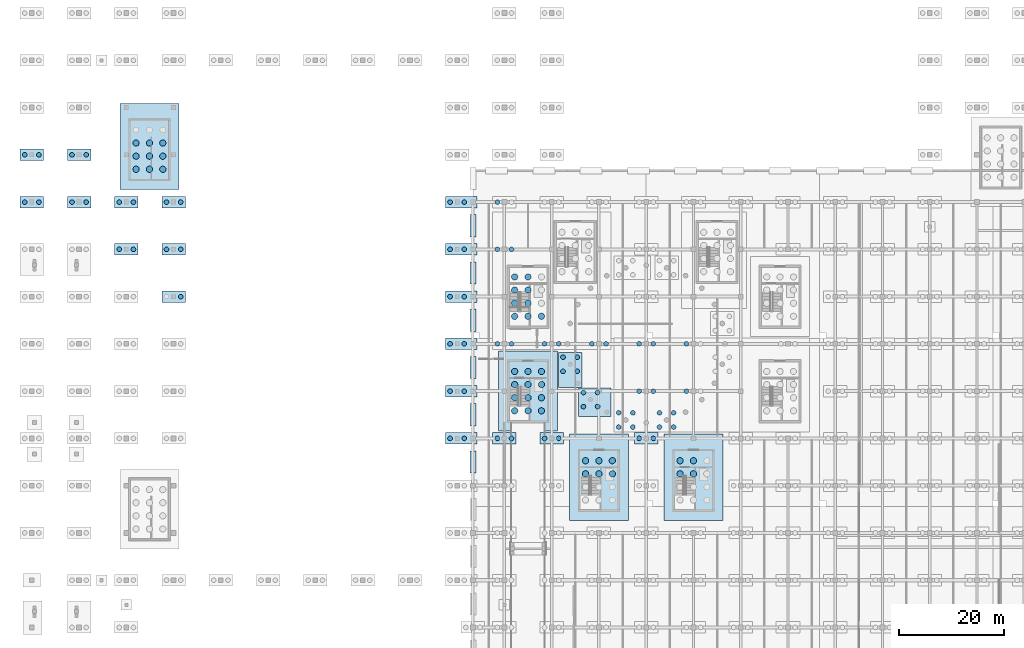
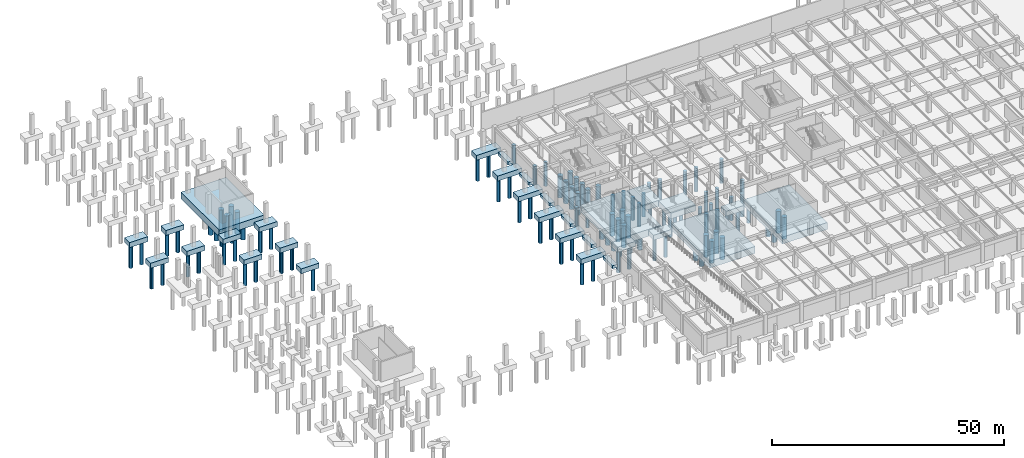
# One storey, part 3 of 27: 106 piles, 30 footings.
"""IFC4 building model written with IfcOpenShell, lengths in metres."""

from ifc_helpers import new_model, si_unit, direction, frame, origin, origin_2d, place, context, subcontext, project, spatial, polyline, circle, outline, extrude, material, layer, layer_set, material_profile, profile_set, type_object, element, save


model = new_model("IFC4")

# Units and contexts
model_context = context("Model", 3, precision=1e-05, world=origin(), true_north=direction((0.0, 1.0)))
body_context = subcontext(model_context, "Body", "Model", "MODEL_VIEW")
ifc_project = project(units=[si_unit("LENGTHUNIT", "METRE"), si_unit("AREAUNIT", "SQUARE_METRE"), si_unit("VOLUMEUNIT", "CUBIC_METRE"), si_unit("PLANEANGLEUNIT", "RADIAN"), si_unit("MASSUNIT", "GRAM", prefix="KILO")], contexts=[model_context])

# Site, building, storey
site_placement = place(None, origin())
site = spatial("IfcSite", under=ifc_project, at=site_placement, CompositionType="ELEMENT")
building_placement = place(site_placement, origin())
building = spatial("IfcBuilding", under=site, at=building_placement, Name="Dornveld Trade and Exhibition Forum", CompositionType="ELEMENT")
storey_placement = place(building_placement, frame((0.0, 0.0, -4.800048828125)))
storey = spatial("IfcBuildingStorey", under=building, at=storey_placement, Name="B1", CompositionType="ELEMENT", Elevation=-4.800048828125)

# Footings
ifc_material_1 = material(Name="Concrete C40/50", Category="concrete")
ifc_layer_1 = layer(ifc_material_1, 1.300048828125)
ifc_layer_set_1 = layer_set([ifc_layer_1], Name="Concrete C40/50")
footing_type_1 = type_object("IfcFootingType", Name="FT-CAP-2P", PredefinedType="PILE_CAP", material=ifc_layer_set_1)
footing_1_placement = place(storey_placement, frame((0.0, 0.0, -1.75)))
element("IfcFooting", 1, at=footing_1_placement, inside=storey, type_object=footing_type_1, Name="Multi-pile cap 20", PredefinedType="PILE_CAP", context=body_context, shape_type="SweptSolid", body=[
    extrude(outline(polyline([(-2.25, 106.89990234375), (2.25, 106.89990234375), (2.25, 109.10009765625), (-2.25, 109.10009765625), (-2.25, 106.89990234375)])), origin(), (0.0, 0.0, 1.0), 1.300048828125),
])
footing_2_placement = place(storey_placement, frame((0.0, 0.0, -1.75)))
element("IfcFooting", 2, at=footing_2_placement, inside=storey, type_object=footing_type_1, Name="Multi-pile cap 21", PredefinedType="PILE_CAP", context=body_context, shape_type="SweptSolid", body=[
    extrude(outline(polyline([(-2.25, 115.89990234375), (2.25, 115.89990234375), (2.25, 118.10009765625), (-2.25, 118.10009765625), (-2.25, 115.89990234375)])), origin(), (0.0, 0.0, 1.0), 1.300048828125),
])
footing_3_placement = place(storey_placement, frame((0.0, 0.0, -1.75)))
element("IfcFooting", 3, at=footing_3_placement, inside=storey, type_object=footing_type_1, Name="Multi-pile cap 39", PredefinedType="PILE_CAP", context=body_context, shape_type="SweptSolid", body=[
    extrude(outline(polyline([(6.75, 106.89990234375), (11.25, 106.89990234375), (11.25, 109.10009765625), (6.75, 109.10009765625), (6.75, 106.89990234375)])), origin(), (0.0, 0.0, 1.0), 1.300048828125),
])
footing_4_placement = place(storey_placement, frame((0.0, 0.0, -1.75)))
element("IfcFooting", 4, at=footing_4_placement, inside=storey, type_object=footing_type_1, Name="Multi-pile cap 40", PredefinedType="PILE_CAP", context=body_context, shape_type="SweptSolid", body=[
    extrude(outline(polyline([(6.75, 115.89990234375), (11.25, 115.89990234375), (11.25, 118.10009765625), (6.75, 118.10009765625), (6.75, 115.89990234375)])), origin(), (0.0, 0.0, 1.0), 1.300048828125),
])
footing_5_placement = place(storey_placement, frame((0.0, 0.0, -1.75)))
element("IfcFooting", 5, at=footing_5_placement, inside=storey, type_object=footing_type_1, Name="Multi-pile cap 54", PredefinedType="PILE_CAP", context=body_context, shape_type="SweptSolid", body=[
    extrude(outline(polyline([(15.75, 97.89990234375), (20.25, 97.89990234375), (20.25, 100.10009765625), (15.75, 100.10009765625), (15.75, 97.89990234375)])), origin(), (0.0, 0.0, 1.0), 1.300048828125),
])
footing_6_placement = place(storey_placement, frame((0.0, 0.0, -1.75)))
element("IfcFooting", 6, at=footing_6_placement, inside=storey, type_object=footing_type_1, Name="Multi-pile cap 55", PredefinedType="PILE_CAP", context=body_context, shape_type="SweptSolid", body=[
    extrude(outline(polyline([(15.75, 106.89990234375), (20.25, 106.89990234375), (20.25, 109.10009765625), (15.75, 109.10009765625), (15.75, 106.89990234375)])), origin(), (0.0, 0.0, 1.0), 1.300048828125),
])
footing_7_placement = place(storey_placement, frame((0.0, 0.0, -1.75)))
element("IfcFooting", 7, at=footing_7_placement, inside=storey, type_object=footing_type_1, Name="Multi-pile cap 64", PredefinedType="PILE_CAP", context=body_context, shape_type="SweptSolid", body=[
    extrude(outline(polyline([(24.75, 88.89990234375), (29.25, 88.89990234375), (29.25, 91.10009765625), (24.75, 91.10009765625), (24.75, 88.89990234375)])), origin(), (0.0, 0.0, 1.0), 1.300048828125),
])
footing_8_placement = place(storey_placement, frame((0.0, 0.0, -1.75)))
element("IfcFooting", 8, at=footing_8_placement, inside=storey, type_object=footing_type_1, Name="Multi-pile cap 65", PredefinedType="PILE_CAP", context=body_context, shape_type="SweptSolid", body=[
    extrude(outline(polyline([(24.75, 97.89990234375), (29.25, 97.89990234375), (29.25, 100.10009765625), (24.75, 100.10009765625), (24.75, 97.89990234375)])), origin(), (0.0, 0.0, 1.0), 1.300048828125),
])
footing_9_placement = place(storey_placement, frame((0.0, 0.0, -1.75)))
element("IfcFooting", 9, at=footing_9_placement, inside=storey, type_object=footing_type_1, Name="Multi-pile cap 66", PredefinedType="PILE_CAP", context=body_context, shape_type="SweptSolid", body=[
    extrude(outline(polyline([(24.75, 106.89990234375), (29.25, 106.89990234375), (29.25, 109.10009765625), (24.75, 109.10009765625), (24.75, 106.89990234375)])), origin(), (0.0, 0.0, 1.0), 1.300048828125),
])
footing_10_placement = place(storey_placement, frame((0.0, 0.0, -1.75)))
element("IfcFooting", 10, at=footing_10_placement, inside=storey, type_object=footing_type_1, Name="Multi-pile cap 84", PredefinedType="PILE_CAP", context=body_context, shape_type="SweptSolid", body=[
    extrude(outline(polyline([(78.75, 61.89990234375), (84.800048828125, 61.89990234375), (84.800048828125, 64.10009765625), (78.75, 64.10009765625), (78.75, 61.89990234375)])), origin(), (0.0, 0.0, 1.0), 1.300048828125),
])
footing_11_placement = place(storey_placement, frame((0.0, 0.0, -1.75)))
element("IfcFooting", 11, at=footing_11_placement, inside=storey, type_object=footing_type_1, Name="Multi-pile cap 85", PredefinedType="PILE_CAP", context=body_context, shape_type="SweptSolid", body=[
    extrude(outline(polyline([(78.75, 70.89990234375), (84.800048828125, 70.89990234375), (84.800048828125, 73.10009765625), (78.75, 73.10009765625), (78.75, 70.89990234375)])), origin(), (0.0, 0.0, 1.0), 1.300048828125),
])
footing_12_placement = place(storey_placement, frame((0.0, 0.0, -1.75)))
element("IfcFooting", 12, at=footing_12_placement, inside=storey, type_object=footing_type_1, Name="Multi-pile cap 86", PredefinedType="PILE_CAP", context=body_context, shape_type="SweptSolid", body=[
    extrude(outline(polyline([(78.75, 79.89990234375), (84.800048828125, 79.89990234375), (84.800048828125, 82.10009765625), (78.75, 82.10009765625), (78.75, 79.89990234375)])), origin(), (0.0, 0.0, 1.0), 1.300048828125),
])
footing_13_placement = place(storey_placement, frame((0.0, 0.0, -1.75)))
element("IfcFooting", 13, at=footing_13_placement, inside=storey, type_object=footing_type_1, Name="Multi-pile cap 87", PredefinedType="PILE_CAP", context=body_context, shape_type="SweptSolid", body=[
    extrude(outline(polyline([(78.75, 88.89990234375), (84.800048828125, 88.89990234375), (84.800048828125, 91.10009765625), (78.75, 91.10009765625), (78.75, 88.89990234375)])), origin(), (0.0, 0.0, 1.0), 1.300048828125),
])
footing_14_placement = place(storey_placement, frame((0.0, 0.0, -1.75)))
element("IfcFooting", 14, at=footing_14_placement, inside=storey, type_object=footing_type_1, Name="Multi-pile cap 88", PredefinedType="PILE_CAP", context=body_context, shape_type="SweptSolid", body=[
    extrude(outline(polyline([(78.75, 97.89990234375), (84.800048828125, 97.89990234375), (84.800048828125, 100.10009765625), (78.75, 100.10009765625), (78.75, 97.89990234375)])), origin(), (0.0, 0.0, 1.0), 1.300048828125),
])
footing_15_placement = place(storey_placement, frame((0.0, 0.0, -1.75)))
element("IfcFooting", 15, at=footing_15_placement, inside=storey, type_object=footing_type_1, Name="Multi-pile cap 89", PredefinedType="PILE_CAP", context=body_context, shape_type="SweptSolid", body=[
    extrude(outline(polyline([(78.75, 106.89990234375), (84.800048828125, 106.89990234375), (84.800048828125, 109.10009765625), (78.75, 109.10009765625), (78.75, 106.89990234375)])), origin(), (0.0, 0.0, 1.0), 1.300048828125),
])
footing_16_placement = place(storey_placement, frame((0.0, 0.0, -1.75)))
element("IfcFooting", 16, at=footing_16_placement, inside=storey, type_object=footing_type_1, Name="Multi-pile cap 100", PredefinedType="PILE_CAP", context=body_context, shape_type="SweptSolid", body=[
    extrude(outline(polyline([(87.75, 61.89990234375), (92.25, 61.89990234375), (92.25, 64.10009765625), (87.75, 64.10009765625), (87.75, 61.89990234375)])), origin(), (0.0, 0.0, 1.0), 1.300048828125),
])
footing_17_placement = place(storey_placement, frame((0.0, 0.0, -1.75)))
element("IfcFooting", 17, at=footing_17_placement, inside=storey, type_object=footing_type_1, Name="Multi-pile cap 115", PredefinedType="PILE_CAP", context=body_context, shape_type="SweptSolid", body=[
    extrude(outline(polyline([(96.75, 61.89990234375), (101.25, 61.89990234375), (101.25, 64.10009765625), (96.75, 64.10009765625), (96.75, 61.89990234375)])), origin(), (0.0, 0.0, 1.0), 1.300048828125),
])
footing_18_placement = place(storey_placement, frame((0.0, 0.0, -1.75)))
element("IfcFooting", 18, at=footing_18_placement, inside=storey, type_object=footing_type_1, Name="Multi-pile cap 140", PredefinedType="PILE_CAP", context=body_context, shape_type="SweptSolid", body=[
    extrude(outline(polyline([(114.75, 61.89990234375), (119.25, 61.89990234375), (119.25, 64.10009765625), (114.75, 64.10009765625), (114.75, 61.89990234375)])), origin(), (0.0, 0.0, 1.0), 1.300048828125),
])
ifc_material_2 = material(Name="Concrete C40/50", Category="concrete")
ifc_layer_2 = layer(ifc_material_2, 1.5)
ifc_layer_set_2 = layer_set([ifc_layer_2], Name="Concrete C40/50")
footing_type_2 = type_object("IfcFootingType", Name="FT-CAP-4P", PredefinedType="PILE_CAP", material=ifc_layer_set_2)
footing_19_placement = place(storey_placement, frame((0.0, 0.0, -1.949951171875)))
element("IfcFooting", 19, at=footing_19_placement, inside=storey, type_object=footing_type_2, Name="Multi-pile cap 124", PredefinedType="PILE_CAP", context=body_context, shape_type="SweptSolid", body=[
    extrude(outline(polyline([(100.260986328125, 72.699951171875), (104.81005859375, 72.699951171875), (104.81005859375, 79.367919921875), (100.260986328125, 79.367919921875), (100.260986328125, 72.699951171875)])), origin(), (0.0, 0.0, 1.0), 1.5),
])
footing_20_placement = place(storey_placement, frame((0.0, 0.0, -1.949951171875)))
element("IfcFooting", 20, at=footing_20_placement, inside=storey, type_object=footing_type_2, Name="Multi-pile cap 125", PredefinedType="PILE_CAP", context=body_context, shape_type="SweptSolid", body=[
    extrude(outline(polyline([(104.14306640625, 67.2099609375), (110.300048828125, 67.2099609375), (110.300048828125, 72.64306640625), (104.14306640625, 72.64306640625), (104.14306640625, 67.2099609375)])), origin(), (0.0, 0.0, 1.0), 1.5),
])
ifc_material_3 = material(Name="Concrete C40/50", Category="concrete")
ifc_layer_3 = layer(ifc_material_3, 1.800048828125)
ifc_layer_set_3 = layer_set([ifc_layer_3], Name="Concrete C40/50")
footing_type_3 = type_object("IfcFootingType", Name="FT-RAFT-CORE", PredefinedType="PILE_CAP", material=ifc_layer_set_3)
footing_21_placement = place(storey_placement, frame((0.0, 0.0, -2.25)))
element("IfcFooting", 21, at=footing_21_placement, inside=storey, type_object=footing_type_3, Name="CORE-05 piled foundation raft", PredefinedType="PILE_CAP", context=body_context, shape_type="SweptSolid", body=[
    extrude(outline(polyline([(88.89990234375, 64.39990234375), (100.10009765625, 64.39990234375), (100.10009765625, 79.60009765625), (88.89990234375, 79.60009765625), (88.89990234375, 64.39990234375)])), origin(), (0.0, 0.0, 1.0), 1.800048828125),
])
footing_22_placement = place(storey_placement, frame((0.0, 0.0, -2.25)))
element("IfcFooting", 22, at=footing_22_placement, inside=storey, type_object=footing_type_3, Name="CORE-06 piled foundation raft", PredefinedType="PILE_CAP", context=body_context, shape_type="SweptSolid", body=[
    extrude(outline(polyline([(102.39990234375, 47.39990234375), (113.60009765625, 47.39990234375), (113.60009765625, 63.800048828125), (102.39990234375, 63.800048828125), (102.39990234375, 47.39990234375)])), origin(), (0.0, 0.0, 1.0), 1.800048828125),
])
footing_23_placement = place(storey_placement, frame((0.0, 0.0, -2.25)))
element("IfcFooting", 23, at=footing_23_placement, inside=storey, type_object=footing_type_3, Name="CORE-07 piled foundation raft", PredefinedType="PILE_CAP", context=body_context, shape_type="SweptSolid", body=[
    extrude(outline(polyline([(120.39990234375, 47.39990234375), (131.60009765625, 47.39990234375), (131.60009765625, 63.800048828125), (120.39990234375, 63.800048828125), (120.39990234375, 47.39990234375)])), origin(), (0.0, 0.0, 1.0), 1.800048828125),
])
footing_24_placement = place(storey_placement, frame((0.0, 0.0, -2.25)))
element("IfcFooting", 24, at=footing_24_placement, inside=storey, type_object=footing_type_3, Name="CORE-10 piled foundation raft", PredefinedType="PILE_CAP", context=body_context, shape_type="SweptSolid", body=[
    extrude(outline(polyline([(16.800048828125, 110.39990234375), (28.0, 110.39990234375), (28.0, 126.800048828125), (16.800048828125, 126.800048828125), (16.800048828125, 110.39990234375)])), origin(), (0.0, 0.0, 1.0), 1.800048828125),
])
ifc_material_4 = material(Name="Concrete C40/50", Category="concrete")
ifc_layer_4 = layer(ifc_material_4, 0.800048828125)
ifc_layer_set_4 = layer_set([ifc_layer_4], Name="Concrete C40/50")
footing_type_4 = type_object("IfcFootingType", Name="FT-STRIP-900", PredefinedType="STRIP_FOOTING", material=ifc_layer_set_4)
footing_25_placement = place(storey_placement, frame((0.0, 0.0, -1.25)))
element("IfcFooting", 25, at=footing_25_placement, inside=storey, type_object=footing_type_4, Name="Basement perimeter strip footing 18", PredefinedType="STRIP_FOOTING", context=body_context, shape_type="SweptSolid", body=[
    extrude(outline(polyline([(83.39990234375, 56.39990234375), (84.60009765625, 56.39990234375), (84.60009765625, 60.60009765625), (83.39990234375, 60.60009765625), (83.39990234375, 56.39990234375)])), origin(), (0.0, 0.0, 1.0), 0.800048828125),
])
footing_26_placement = place(storey_placement, frame((0.0, 0.0, -1.25)))
element("IfcFooting", 26, at=footing_26_placement, inside=storey, type_object=footing_type_4, Name="Basement perimeter strip footing 19", PredefinedType="STRIP_FOOTING", context=body_context, shape_type="SweptSolid", body=[
    extrude(outline(polyline([(83.39990234375, 65.39990234375), (84.60009765625, 65.39990234375), (84.60009765625, 69.60009765625), (83.39990234375, 69.60009765625), (83.39990234375, 65.39990234375)])), origin(), (0.0, 0.0, 1.0), 0.800048828125),
])
footing_27_placement = place(storey_placement, frame((0.0, 0.0, -1.25)))
element("IfcFooting", 27, at=footing_27_placement, inside=storey, type_object=footing_type_4, Name="Basement perimeter strip footing 20", PredefinedType="STRIP_FOOTING", context=body_context, shape_type="SweptSolid", body=[
    extrude(outline(polyline([(83.39990234375, 74.39990234375), (84.60009765625, 74.39990234375), (84.60009765625, 78.60009765625), (83.39990234375, 78.60009765625), (83.39990234375, 74.39990234375)])), origin(), (0.0, 0.0, 1.0), 0.800048828125),
])
footing_28_placement = place(storey_placement, frame((0.0, 0.0, -1.25)))
element("IfcFooting", 28, at=footing_28_placement, inside=storey, type_object=footing_type_4, Name="Basement perimeter strip footing 21", PredefinedType="STRIP_FOOTING", context=body_context, shape_type="SweptSolid", body=[
    extrude(outline(polyline([(83.39990234375, 83.39990234375), (84.60009765625, 83.39990234375), (84.60009765625, 87.60009765625), (83.39990234375, 87.60009765625), (83.39990234375, 83.39990234375)])), origin(), (0.0, 0.0, 1.0), 0.800048828125),
])
footing_29_placement = place(storey_placement, frame((0.0, 0.0, -1.25)))
element("IfcFooting", 29, at=footing_29_placement, inside=storey, type_object=footing_type_4, Name="Basement perimeter strip footing 22", PredefinedType="STRIP_FOOTING", context=body_context, shape_type="SweptSolid", body=[
    extrude(outline(polyline([(83.39990234375, 92.39990234375), (84.60009765625, 92.39990234375), (84.60009765625, 96.60009765625), (83.39990234375, 96.60009765625), (83.39990234375, 92.39990234375)])), origin(), (0.0, 0.0, 1.0), 0.800048828125),
])
footing_30_placement = place(storey_placement, frame((0.0, 0.0, -1.25)))
element("IfcFooting", 30, at=footing_30_placement, inside=storey, type_object=footing_type_4, Name="Basement perimeter strip footing 23", PredefinedType="STRIP_FOOTING", context=body_context, shape_type="SweptSolid", body=[
    extrude(outline(polyline([(83.39990234375, 101.39990234375), (84.60009765625, 101.39990234375), (84.60009765625, 105.60009765625), (83.39990234375, 105.60009765625), (83.39990234375, 101.39990234375)])), origin(), (0.0, 0.0, 1.0), 0.800048828125),
])

# Piles
ifc_material_5 = material(Name="Concrete C40/50", Category="concrete")
ifc_material_profile_1 = material_profile(ifc_material_5, circle(Radius=0.60009765625, at=origin_2d()), Name="PILE D1200")
ifc_profile_set_1 = profile_set([ifc_material_profile_1], Name="Concrete C40/50")
pile_type_1 = type_object("IfcPileType", Name="PILE-B1200", PredefinedType="BORED", material=ifc_profile_set_1)
for number, where, z_axis, x_axis, name in (
    (31, (91.949951171875, 86.25, -2.14990234375), (0.0, 0.0, -1.0), (1.0, 0.0, 0.0), "CORE-04 rock-socketed bored pile 1"),
    (32, (91.949951171875, 88.75, -2.14990234375), (0.0, 0.0, -1.0), (1.0, 0.0, 0.0), "CORE-04 rock-socketed bored pile 2"),
    (33, (91.949951171875, 91.25, -2.14990234375), (0.0, 0.0, -1.0), (1.0, 0.0, 0.0), "CORE-04 rock-socketed bored pile 3"),
    (34, (91.949951171875, 93.75, -2.14990234375), (0.0, 0.0, -1.0), (1.0, 0.0, 0.0), "CORE-04 rock-socketed bored pile 4"),
    (35, (94.5, 86.25, -2.14990234375), (0.0, 0.0, -1.0), (1.0, 0.0, 0.0), "CORE-04 rock-socketed bored pile 5"),
    (36, (94.5, 88.75, -2.14990234375), (0.0, 0.0, -1.0), (1.0, 0.0, 0.0), "CORE-04 rock-socketed bored pile 6"),
    (37, (94.5, 91.25, -2.14990234375), (0.0, 0.0, -1.0), (1.0, 0.0, 0.0), "CORE-04 rock-socketed bored pile 7"),
    (38, (94.5, 93.75, -2.14990234375), (0.0, 0.0, -1.0), (1.0, 0.0, 0.0), "CORE-04 rock-socketed bored pile 8"),
    (39, (97.050048828125, 86.25, -2.14990234375), (0.0, 0.0, -1.0), (1.0, 0.0, 0.0), "CORE-04 rock-socketed bored pile 9"),
    (40, (91.949951171875, 68.25, -2.14990234375), (0.0, 0.0, -1.0), (1.0, 0.0, 0.0), "CORE-05 rock-socketed bored pile 1"),
    (41, (91.949951171875, 70.75, -2.14990234375), (0.0, 0.0, -1.0), (1.0, 0.0, 0.0), "CORE-05 rock-socketed bored pile 2"),
    (42, (91.949951171875, 73.25, -2.14990234375), (0.0, 0.0, -1.0), (1.0, 0.0, 0.0), "CORE-05 rock-socketed bored pile 3"),
    (43, (91.949951171875, 75.75, -2.14990234375), (0.0, 0.0, -1.0), (1.0, 0.0, 0.0), "CORE-05 rock-socketed bored pile 4"),
    (44, (94.5, 68.25, -2.14990234375), (0.0, 0.0, -1.0), (1.0, 0.0, 0.0), "CORE-05 rock-socketed bored pile 5"),
    (45, (94.5, 70.75, -2.14990234375), (0.0, 0.0, -1.0), (1.0, 0.0, 0.0), "CORE-05 rock-socketed bored pile 6"),
    (46, (94.5, 73.25, -2.14990234375), (0.0, 0.0, -1.0), (1.0, 0.0, 0.0), "CORE-05 rock-socketed bored pile 7"),
    (47, (94.5, 75.75, -2.14990234375), (0.0, 0.0, -1.0), (1.0, 0.0, 0.0), "CORE-05 rock-socketed bored pile 8"),
    (48, (97.050048828125, 68.25, -2.14990234375), (0.0, 0.0, -1.0), (1.0, 0.0, 0.0), "CORE-05 rock-socketed bored pile 9"),
    (49, (97.050048828125, 70.75, -2.14990234375), (0.0, 0.0, -1.0), (1.0, 0.0, 0.0), "CORE-05 rock-socketed bored pile 10"),
    (50, (97.050048828125, 73.25, -2.14990234375), (0.0, 0.0, -1.0), (1.0, 0.0, 0.0), "CORE-05 rock-socketed bored pile 11"),
    (51, (97.050048828125, 75.75, -2.14990234375), (0.0, 0.0, -1.0), (1.0, 0.0, 0.0), "CORE-05 rock-socketed bored pile 12"),
    (52, (105.449951171875, 56.25, -2.14990234375), (0.0, 0.0, -1.0), (1.0, 0.0, 0.0), "CORE-06 rock-socketed bored pile 3"),
    (53, (105.449951171875, 58.75, -2.14990234375), (0.0, 0.0, -1.0), (1.0, 0.0, 0.0), "CORE-06 rock-socketed bored pile 4"),
    (54, (108.0, 56.25, -2.14990234375), (0.0, 0.0, -1.0), (1.0, 0.0, 0.0), "CORE-06 rock-socketed bored pile 7"),
    (55, (108.0, 58.75, -2.14990234375), (0.0, 0.0, -1.0), (1.0, 0.0, 0.0), "CORE-06 rock-socketed bored pile 8"),
    (56, (110.550048828125, 56.25, -2.14990234375), (0.0, 0.0, -1.0), (1.0, 0.0, 0.0), "CORE-06 rock-socketed bored pile 11"),
    (57, (110.550048828125, 58.75, -2.14990234375), (0.0, 0.0, -1.0), (1.0, 0.0, 0.0), "CORE-06 rock-socketed bored pile 12"),
    (58, (123.449951171875, 56.25, -2.14990234375), (0.0, 0.0, -1.0), (1.0, 0.0, 0.0), "CORE-07 rock-socketed bored pile 3"),
    (59, (123.449951171875, 58.75, -2.14990234375), (0.0, 0.0, -1.0), (1.0, 0.0, 0.0), "CORE-07 rock-socketed bored pile 4"),
    (60, (126.0, 56.25, -2.14990234375), (0.0, 0.0, -1.0), (1.0, 0.0, 0.0), "CORE-07 rock-socketed bored pile 7"),
    (61, (126.0, 58.75, -2.14990234375), (0.0, 0.0, -1.0), (1.0, 0.0, 0.0), "CORE-07 rock-socketed bored pile 8"),
    (62, (19.85009765625, 114.25, -2.14990234375), (0.0, 0.0, -1.0), (1.0, 0.0, 0.0), "CORE-10 rock-socketed bored pile 1"),
    (63, (19.85009765625, 116.75, -2.14990234375), (0.0, 0.0, -1.0), (1.0, 0.0, 0.0), "CORE-10 rock-socketed bored pile 2"),
    (64, (19.85009765625, 119.25, -2.14990234375), (0.0, 0.0, -1.0), (1.0, 0.0, 0.0), "CORE-10 rock-socketed bored pile 3"),
    (65, (22.39990234375, 114.25, -2.14990234375), (0.0, 0.0, -1.0), (1.0, 0.0, 0.0), "CORE-10 rock-socketed bored pile 5"),
    (66, (22.39990234375, 116.75, -2.14990234375), (0.0, 0.0, -1.0), (1.0, 0.0, 0.0), "CORE-10 rock-socketed bored pile 6"),
    (67, (22.39990234375, 119.25, -2.14990234375), (0.0, 0.0, -1.0), (1.0, 0.0, 0.0), "CORE-10 rock-socketed bored pile 7"),
    (68, (24.949951171875, 114.25, -2.14990234375), (0.0, 0.0, -1.0), (1.0, 0.0, 0.0), "CORE-10 rock-socketed bored pile 9"),
    (69, (24.949951171875, 116.75, -2.14990234375), (0.0, 0.0, -1.0), (1.0, 0.0, 0.0), "CORE-10 rock-socketed bored pile 10"),
    (70, (24.949951171875, 119.25, -2.14990234375), (0.0, 0.0, -1.0), (1.0, 0.0, 0.0), "CORE-10 rock-socketed bored pile 11"),
):
    element("IfcPile", number, at=place(storey_placement, frame(where, z_axis=z_axis, x_axis=x_axis)), inside=storey, type_object=pile_type_1, Name=name, PredefinedType="BORED", context=body_context, shape_type="SweptSolid", body=[
        extrude(circle(Radius=0.60009765625, at=origin_2d()), origin(), (0.0, 0.0, 1.0), 5.75),
    ])
ifc_material_6 = material(Name="Concrete C40/50", Category="concrete")
ifc_material_profile_2 = material_profile(ifc_material_6, circle(Radius=0.449951171875, at=origin_2d()), Name="PILE D900")
ifc_profile_set_2 = profile_set([ifc_material_profile_2], Name="Concrete C40/50")
pile_type_2 = type_object("IfcPileType", Name="PILE-B900", PredefinedType="BORED", material=ifc_profile_set_2)
for number, where, z_axis, x_axis, name in (
    (71, (-1.35009765625, 108.0, -1.64990234375), (0.0, 0.0, -1.0), (1.0, 0.0, 0.0), "Cap 20 rock-socketed pile 1"),
    (72, (1.35009765625, 108.0, -1.64990234375), (0.0, 0.0, -1.0), (1.0, 0.0, 0.0), "Cap 20 rock-socketed pile 2"),
    (73, (-1.35009765625, 117.0, -1.64990234375), (0.0, 0.0, -1.0), (1.0, 0.0, 0.0), "Cap 21 rock-socketed pile 1"),
    (74, (1.35009765625, 117.0, -1.64990234375), (0.0, 0.0, -1.0), (1.0, 0.0, 0.0), "Cap 21 rock-socketed pile 2"),
    (75, (7.64990234375, 108.0, -1.64990234375), (0.0, 0.0, -1.0), (1.0, 0.0, 0.0), "Cap 39 rock-socketed pile 1"),
    (76, (10.35009765625, 108.0, -1.64990234375), (0.0, 0.0, -1.0), (1.0, 0.0, 0.0), "Cap 39 rock-socketed pile 2"),
    (77, (7.64990234375, 117.0, -1.64990234375), (0.0, 0.0, -1.0), (1.0, 0.0, 0.0), "Cap 40 rock-socketed pile 1"),
    (78, (10.35009765625, 117.0, -1.64990234375), (0.0, 0.0, -1.0), (1.0, 0.0, 0.0), "Cap 40 rock-socketed pile 2"),
    (79, (16.64990234375, 99.0, -1.64990234375), (0.0, 0.0, -1.0), (1.0, 0.0, 0.0), "Cap 54 rock-socketed pile 1"),
    (80, (19.35009765625, 99.0, -1.64990234375), (0.0, 0.0, -1.0), (1.0, 0.0, 0.0), "Cap 54 rock-socketed pile 2"),
    (81, (16.64990234375, 108.0, -1.64990234375), (0.0, 0.0, -1.0), (1.0, 0.0, 0.0), "Cap 55 rock-socketed pile 1"),
    (82, (19.35009765625, 108.0, -1.64990234375), (0.0, 0.0, -1.0), (1.0, 0.0, 0.0), "Cap 55 rock-socketed pile 2"),
    (83, (28.35009765625, 90.0, -1.64990234375), (0.0, 0.0, -1.0), (1.0, 0.0, 0.0), "Cap 64 rock-socketed pile 2"),
    (84, (25.64990234375, 99.0, -1.64990234375), (0.0, 0.0, -1.0), (1.0, 0.0, 0.0), "Cap 65 rock-socketed pile 1"),
    (85, (28.35009765625, 99.0, -1.64990234375), (0.0, 0.0, -1.0), (1.0, 0.0, 0.0), "Cap 65 rock-socketed pile 2"),
    (86, (25.64990234375, 108.0, -1.64990234375), (0.0, 0.0, -1.0), (1.0, 0.0, 0.0), "Cap 66 rock-socketed pile 1"),
    (87, (28.35009765625, 108.0, -1.64990234375), (0.0, 0.0, -1.0), (1.0, 0.0, 0.0), "Cap 66 rock-socketed pile 2"),
    (88, (79.64990234375, 63.0, -1.64990234375), (0.0, 0.0, -1.0), (1.0, 0.0, 0.0), "Cap 84 rock-socketed pile 1"),
    (89, (82.35009765625, 63.0, -1.64990234375), (0.0, 0.0, -1.0), (1.0, 0.0, 0.0), "Cap 84 rock-socketed pile 2"),
    (90, (79.64990234375, 72.0, -1.64990234375), (0.0, 0.0, -1.0), (1.0, 0.0, 0.0), "Cap 85 rock-socketed pile 1"),
    (91, (82.35009765625, 72.0, -1.64990234375), (0.0, 0.0, -1.0), (1.0, 0.0, 0.0), "Cap 85 rock-socketed pile 2"),
    (92, (79.64990234375, 81.0, -1.64990234375), (0.0, 0.0, -1.0), (1.0, 0.0, 0.0), "Cap 86 rock-socketed pile 1"),
    (93, (82.35009765625, 81.0, -1.64990234375), (0.0, 0.0, -1.0), (1.0, 0.0, 0.0), "Cap 86 rock-socketed pile 2"),
    (94, (79.64990234375, 90.0, -1.64990234375), (0.0, 0.0, -1.0), (1.0, 0.0, 0.0), "Cap 87 rock-socketed pile 1"),
    (95, (82.35009765625, 90.0, -1.64990234375), (0.0, 0.0, -1.0), (1.0, 0.0, 0.0), "Cap 87 rock-socketed pile 2"),
    (96, (79.64990234375, 99.0, -1.64990234375), (0.0, 0.0, -1.0), (1.0, 0.0, 0.0), "Cap 88 rock-socketed pile 1"),
    (97, (82.35009765625, 99.0, -1.64990234375), (0.0, 0.0, -1.0), (1.0, 0.0, 0.0), "Cap 88 rock-socketed pile 2"),
    (98, (79.64990234375, 108.0, -1.64990234375), (0.0, 0.0, -1.0), (1.0, 0.0, 0.0), "Cap 89 rock-socketed pile 1"),
    (99, (82.35009765625, 108.0, -1.64990234375), (0.0, 0.0, -1.0), (1.0, 0.0, 0.0), "Cap 89 rock-socketed pile 2"),
    (100, (88.64990234375, 63.0, -1.64990234375), (0.0, 0.0, -1.0), (1.0, 0.0, 0.0), "Cap 100 rock-socketed pile 1"),
    (101, (91.35009765625, 63.0, -1.64990234375), (0.0, 0.0, -1.0), (1.0, 0.0, 0.0), "Cap 100 rock-socketed pile 2"),
    (102, (88.64990234375, 81.0, -1.64990234375), (0.0, 0.0, -1.0), (1.0, 0.0, 0.0), "Cap 101 rock-socketed pile 1"),
    (103, (91.35009765625, 81.0, -1.64990234375), (0.0, 0.0, -1.0), (1.0, 0.0, 0.0), "Cap 101 rock-socketed pile 2"),
    (104, (88.64990234375, 99.0, -1.64990234375), (0.0, 0.0, -1.0), (1.0, 0.0, 0.0), "Cap 102 rock-socketed pile 1"),
    (105, (91.35009765625, 99.0, -1.64990234375), (0.0, 0.0, -1.0), (1.0, 0.0, 0.0), "Cap 102 rock-socketed pile 2"),
    (106, (88.64990234375, 108.0, -1.64990234375), (0.0, 0.0, -1.0), (1.0, 0.0, 0.0), "Cap 103 rock-socketed pile 1"),
    (107, (97.64990234375, 63.0, -1.64990234375), (0.0, 0.0, -1.0), (1.0, 0.0, 0.0), "Cap 115 rock-socketed pile 1"),
    (108, (100.35009765625, 63.0, -1.64990234375), (0.0, 0.0, -1.0), (1.0, 0.0, 0.0), "Cap 115 rock-socketed pile 2"),
    (109, (97.64990234375, 81.0, -1.64990234375), (0.0, 0.0, -1.0), (1.0, 0.0, 0.0), "Cap 116 rock-socketed pile 1"),
    (110, (100.35009765625, 81.0, -1.64990234375), (0.0, 0.0, -1.0), (1.0, 0.0, 0.0), "Cap 116 rock-socketed pile 2"),
):
    element("IfcPile", number, at=place(storey_placement, frame(where, z_axis=z_axis, x_axis=x_axis)), inside=storey, type_object=pile_type_2, Name=name, PredefinedType="BORED", context=body_context, shape_type="SweptSolid", body=[
        extrude(circle(Radius=0.449951171875, at=origin_2d()), origin(), (0.0, 0.0, 1.0), 6.25),
    ])
for number, where, z_axis, x_axis, name in (
    (111, (101.160888671875, 75.76806640625, -1.849853515625), (0.0, 0.0, -1.0), (1.0, 0.0, 0.0), "Cap 124 rock-socketed pile 1"),
    (112, (101.160888671875, 78.468017578125, -1.849853515625), (0.0, 0.0, -1.0), (1.0, 0.0, 0.0), "Cap 124 rock-socketed pile 2"),
    (113, (103.861083984375, 75.76806640625, -1.849853515625), (0.0, 0.0, -1.0), (1.0, 0.0, 0.0), "Cap 124 rock-socketed pile 3"),
    (114, (103.861083984375, 78.468017578125, -1.849853515625), (0.0, 0.0, -1.0), (1.0, 0.0, 0.0), "Cap 124 rock-socketed pile 4"),
    (115, (105.04296875, 69.04296875, -1.849853515625), (0.0, 0.0, -1.0), (1.0, 0.0, 0.0), "Cap 125 rock-socketed pile 1"),
    (116, (105.04296875, 71.742919921875, -1.849853515625), (0.0, 0.0, -1.0), (1.0, 0.0, 0.0), "Cap 125 rock-socketed pile 2"),
    (117, (107.742919921875, 69.04296875, -1.849853515625), (0.0, 0.0, -1.0), (1.0, 0.0, 0.0), "Cap 125 rock-socketed pile 3"),
    (118, (107.742919921875, 71.742919921875, -1.849853515625), (0.0, 0.0, -1.0), (1.0, 0.0, 0.0), "Cap 125 rock-socketed pile 4"),
):
    element("IfcPile", number, at=place(storey_placement, frame(where, z_axis=z_axis, x_axis=x_axis)), inside=storey, type_object=pile_type_2, Name=name, PredefinedType="BORED", context=body_context, shape_type="SweptSolid", body=[
        extrude(circle(Radius=0.449951171875, at=origin_2d()), origin(), (0.0, 0.0, 1.0), 6.050048828125),
    ])
for number, where, z_axis, x_axis, name in (
    (119, (106.64990234375, 81.0, -1.64990234375), (0.0, 0.0, -1.0), (1.0, 0.0, 0.0), "Cap 130 rock-socketed pile 1"),
    (120, (109.35009765625, 81.0, -1.64990234375), (0.0, 0.0, -1.0), (1.0, 0.0, 0.0), "Cap 130 rock-socketed pile 2"),
):
    element("IfcPile", number, at=place(storey_placement, frame(where, z_axis=z_axis, x_axis=x_axis)), inside=storey, type_object=pile_type_2, Name=name, PredefinedType="BORED", context=body_context, shape_type="SweptSolid", body=[
        extrude(circle(Radius=0.449951171875, at=origin_2d()), origin(), (0.0, 0.0, 1.0), 6.25),
    ])
for number, where, z_axis, x_axis, name in (
    (121, (111.76806640625, 65.160888671875, -1.849853515625), (0.0, 0.0, -1.0), (1.0, 0.0, 0.0), "Cap 133 rock-socketed pile 1"),
    (122, (111.76806640625, 67.861083984375, -1.849853515625), (0.0, 0.0, -1.0), (1.0, 0.0, 0.0), "Cap 133 rock-socketed pile 2"),
    (123, (114.468017578125, 65.160888671875, -1.849853515625), (0.0, 0.0, -1.0), (1.0, 0.0, 0.0), "Cap 133 rock-socketed pile 3"),
    (124, (114.468017578125, 67.861083984375, -1.849853515625), (0.0, 0.0, -1.0), (1.0, 0.0, 0.0), "Cap 133 rock-socketed pile 4"),
):
    element("IfcPile", number, at=place(storey_placement, frame(where, z_axis=z_axis, x_axis=x_axis)), inside=storey, type_object=pile_type_2, Name=name, PredefinedType="BORED", context=body_context, shape_type="SweptSolid", body=[
        extrude(circle(Radius=0.449951171875, at=origin_2d()), origin(), (0.0, 0.0, 1.0), 6.050048828125),
    ])
for number, where, z_axis, x_axis, name in (
    (125, (115.64990234375, 63.0, -1.64990234375), (0.0, 0.0, -1.0), (1.0, 0.0, 0.0), "Cap 140 rock-socketed pile 1"),
    (126, (118.35009765625, 63.0, -1.64990234375), (0.0, 0.0, -1.0), (1.0, 0.0, 0.0), "Cap 140 rock-socketed pile 2"),
    (127, (115.64990234375, 72.0, -1.64990234375), (0.0, 0.0, -1.0), (1.0, 0.0, 0.0), "Cap 141 rock-socketed pile 1"),
    (128, (118.35009765625, 72.0, -1.64990234375), (0.0, 0.0, -1.0), (1.0, 0.0, 0.0), "Cap 141 rock-socketed pile 2"),
    (129, (115.64990234375, 81.0, -1.64990234375), (0.0, 0.0, -1.0), (1.0, 0.0, 0.0), "Cap 142 rock-socketed pile 1"),
    (130, (118.35009765625, 81.0, -1.64990234375), (0.0, 0.0, -1.0), (1.0, 0.0, 0.0), "Cap 142 rock-socketed pile 2"),
):
    element("IfcPile", number, at=place(storey_placement, frame(where, z_axis=z_axis, x_axis=x_axis)), inside=storey, type_object=pile_type_2, Name=name, PredefinedType="BORED", context=body_context, shape_type="SweptSolid", body=[
        extrude(circle(Radius=0.449951171875, at=origin_2d()), origin(), (0.0, 0.0, 1.0), 6.25),
    ])
for number, where, z_axis, x_axis, name in (
    (131, (119.531982421875, 65.160888671875, -1.849853515625), (0.0, 0.0, -1.0), (1.0, 0.0, 0.0), "Cap 147 rock-socketed pile 1"),
    (132, (119.531982421875, 67.861083984375, -1.849853515625), (0.0, 0.0, -1.0), (1.0, 0.0, 0.0), "Cap 147 rock-socketed pile 2"),
    (133, (122.23193359375, 65.160888671875, -1.849853515625), (0.0, 0.0, -1.0), (1.0, 0.0, 0.0), "Cap 147 rock-socketed pile 3"),
    (134, (122.23193359375, 67.861083984375, -1.849853515625), (0.0, 0.0, -1.0), (1.0, 0.0, 0.0), "Cap 147 rock-socketed pile 4"),
):
    element("IfcPile", number, at=place(storey_placement, frame(where, z_axis=z_axis, x_axis=x_axis)), inside=storey, type_object=pile_type_2, Name=name, PredefinedType="BORED", context=body_context, shape_type="SweptSolid", body=[
        extrude(circle(Radius=0.449951171875, at=origin_2d()), origin(), (0.0, 0.0, 1.0), 6.050048828125),
    ])
for number, where, z_axis, x_axis, name in (
    (135, (124.64990234375, 72.0, -1.64990234375), (0.0, 0.0, -1.0), (1.0, 0.0, 0.0), "Cap 153 rock-socketed pile 1"),
    (136, (124.64990234375, 81.0, -1.64990234375), (0.0, 0.0, -1.0), (1.0, 0.0, 0.0), "Cap 154 rock-socketed pile 1"),
):
    element("IfcPile", number, at=place(storey_placement, frame(where, z_axis=z_axis, x_axis=x_axis)), inside=storey, type_object=pile_type_2, Name=name, PredefinedType="BORED", context=body_context, shape_type="SweptSolid", body=[
        extrude(circle(Radius=0.449951171875, at=origin_2d()), origin(), (0.0, 0.0, 1.0), 6.25),
    ])

save(model, "model.ifc")
